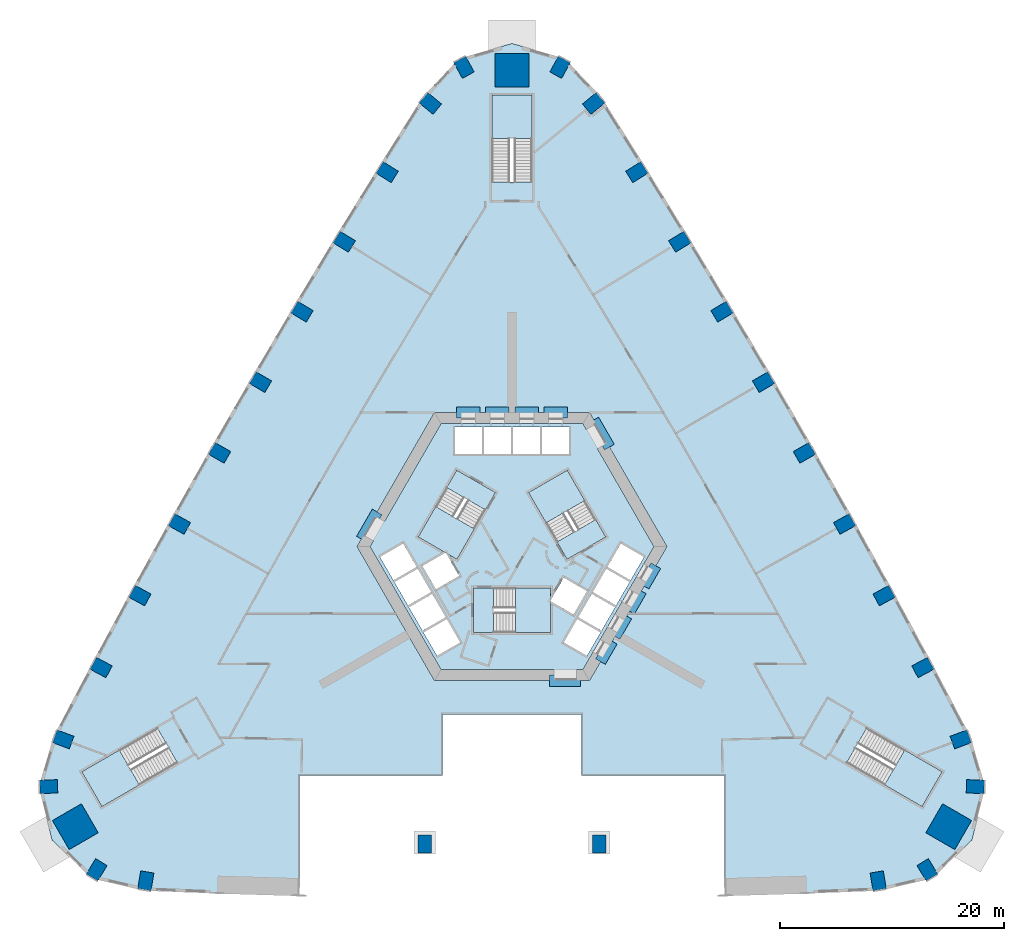
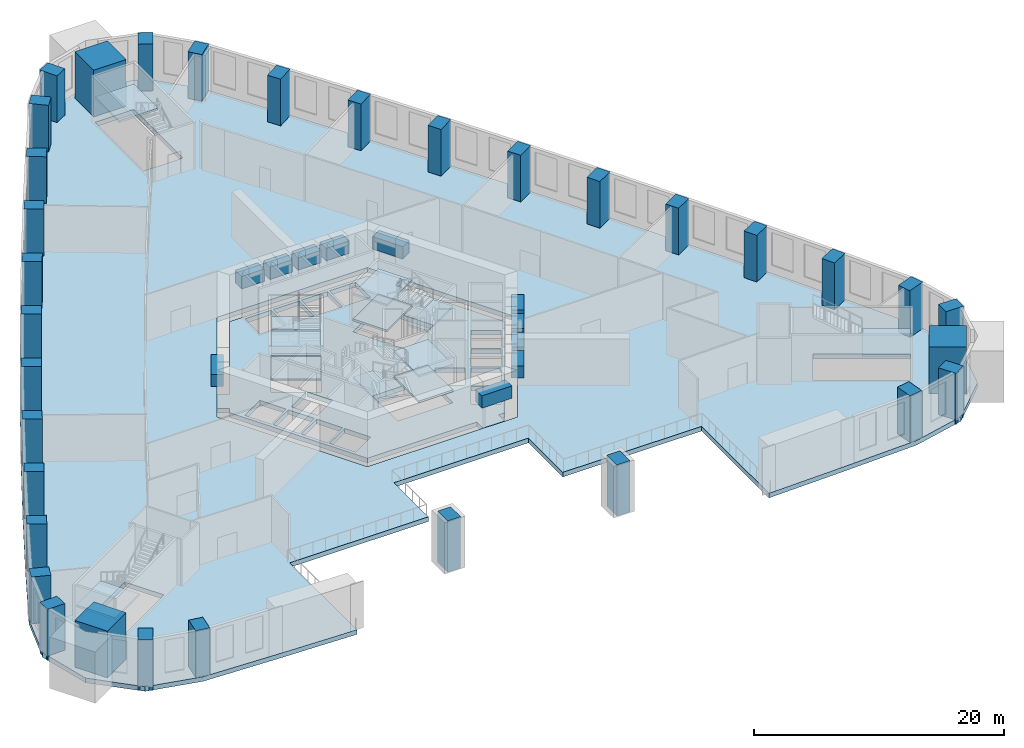
# One storey, part 1 of 16: 33 columns, 14 slabs, 11 beams, 6 elements without a shape of their own.
"""IFC4 building model written with IfcOpenShell, lengths in metres."""

from ifc_helpers import new_model, si_unit, direction, frame, origin, origin_2d, place, context, subcontext, project, spatial, polyline, rectangle, outline, extrude, material, layer, layer_set, material_profile, profile_set, type_object, element, aggregate, save


model = new_model("IFC4")

# Units and contexts
model_context = context("Model", 3, precision=1e-05, world=origin(), true_north=direction((0.0, 1.0)))
body_context = subcontext(model_context, "Body", "Model", "MODEL_VIEW")
ifc_project = project(units=[si_unit("LENGTHUNIT", "METRE"), si_unit("AREAUNIT", "SQUARE_METRE"), si_unit("VOLUMEUNIT", "CUBIC_METRE"), si_unit("PLANEANGLEUNIT", "RADIAN"), si_unit("MASSUNIT", "GRAM", prefix="KILO")], contexts=[model_context])

# Site, building, storey
site_placement = place(None, origin())
site = spatial("IfcSite", under=ifc_project, at=site_placement, CompositionType="ELEMENT")
building_placement = place(site_placement, origin())
building = spatial("IfcBuilding", under=site, at=building_placement, Name="Entoto Arch Interchange Tower", CompositionType="ELEMENT")
storey_placement = place(building_placement, frame((0.0, 0.0, 25.0)))
storey = spatial("IfcBuildingStorey", under=building, at=storey_placement, Name="L04", CompositionType="ELEMENT", Elevation=25.0)

# Columns
ifc_material_1 = material(Name="Concrete C60/75", Category="concrete")
ifc_material_profile_1 = material_profile(ifc_material_1, rectangle(XDim=1.199951171875, YDim=1.60009765625, at=origin_2d()))
ifc_profile_set_1 = profile_set([ifc_material_profile_1], Name="Concrete C60/75")
column_type_1 = type_object("IfcColumnType", Name="Column RC 1200x1600 C60/75", PredefinedType="COLUMN", material=ifc_profile_set_1)
for number, where, z_axis, x_axis, name in (
    (1, (-32.760986328125, -27.39697265625, -0.449951171875), (0.0, 0.0, 1.0), (-0.98600476771, 0.166717119856, 0.0), "Column S01 L04"),
    (2, (32.760986328125, -27.39697265625, -0.449951171875), (0.0, 0.0, 1.0), (0.98600476771, 0.166717119856, 0.0), "Column S06 L04"),
    (3, (37.152099609375, -26.410888671875, -0.449951171875), (0.0, 0.0, 1.0), (0.854522294989, 0.519414716163, 0.0), "Column SE1 L04"),
    (4, (41.447998046875, -18.968994140625, -0.449951171875), (0.0, 0.0, 1.0), (0.022565191802, 0.999745373642, 0.0), "Column SE3 L04"),
    (5, (40.14697265625, -14.7509765625, -0.449951171875), (0.0, 0.0, 1.0), (-0.348277574304, 0.937391450375, 0.0), "Column NE01 L04"),
    (6, (36.7529296875, -8.324951171875, -0.449951171875), (0.0, 0.0, 1.0), (-0.46931745221, 0.883029517656, 0.0), "Column NE02 L04"),
    (7, (33.282958984375, -1.888916015625, -0.449951171875), (0.0, 0.0, 1.0), (-0.478140110514, 0.878283573066, 0.0), "Column NE03 L04"),
    (8, (29.75, 4.511962890625, -0.449951171875), (0.0, 0.0, 1.0), (-0.486914781103, 0.873449481048, 0.0), "Column NE04 L04"),
    (9, (26.155029296875, 10.8798828125, -0.449951171875), (0.0, 0.0, 1.0), (-0.495655741916, 0.868519076074, 0.0), "Column NE05 L04"),
    (10, (22.5, 17.2109375, -0.449951171875), (0.0, 0.0, 1.0), (-0.504331712594, 0.863510002068, 0.0), "Column NE06 L04"),
    (11, (18.781982421875, 23.508056640625, -0.449951171875), (0.0, 0.0, 1.0), (-0.512972048958, 0.858405310438, 0.0), "Column NE07 L04"),
    (12, (15.0048828125, 29.76904296875, -0.449951171875), (0.0, 0.0, 1.0), (-0.521545830745, 0.853223268806, 0.0), "Column NE08 L04"),
    (13, (11.1669921875, 35.992919921875, -0.449951171875), (0.0, 0.0, 1.0), (-0.530067268476, 0.847955594881, 0.0), "Column NE09 L04"),
    (14, (7.299072265625, 42.14404296875, -0.449951171875), (0.0, 0.0, 1.0), (-0.637666022163, 0.770312952103, 0.0), "Column NE10 L04"),
    (15, (4.297119140625, 45.3798828125, -0.449951171875), (0.0, 0.0, 1.0), (-0.877079103306, 0.48034596547, 0.0), "Column N1 L04"),
    (16, (-4.297119140625, 45.3798828125, -0.449951171875), (0.0, 0.0, 1.0), (0.877079103306, 0.48034596547, 0.0), "Column N3 L04"),
    (17, (-7.299072265625, 42.14404296875, -0.449951171875), (0.0, 0.0, 1.0), (0.637666022163, 0.770312952103, 0.0), "Column NW01 L04"),
    (18, (-11.1669921875, 35.992919921875, -0.449951171875), (0.0, 0.0, 1.0), (0.530067268476, 0.847955594881, 0.0), "Column NW02 L04"),
    (19, (-15.0048828125, 29.76904296875, -0.449951171875), (0.0, 0.0, 1.0), (0.521545830745, 0.853223268806, 0.0), "Column NW03 L04"),
    (20, (-18.781982421875, 23.508056640625, -0.449951171875), (0.0, 0.0, 1.0), (0.512972048958, 0.858405310438, 0.0), "Column NW04 L04"),
    (21, (-22.5, 17.2109375, -0.449951171875), (0.0, 0.0, 1.0), (0.504331712594, 0.863510002068, 0.0), "Column NW05 L04"),
    (22, (-26.155029296875, 10.8798828125, -0.449951171875), (0.0, 0.0, 1.0), (0.495655741916, 0.868519076074, 0.0), "Column NW06 L04"),
    (23, (-29.75, 4.511962890625, -0.449951171875), (0.0, 0.0, 1.0), (0.486914781103, 0.873449481048, 0.0), "Column NW07 L04"),
    (24, (-33.282958984375, -1.888916015625, -0.449951171875), (0.0, 0.0, 1.0), (0.478140110514, 0.878283573066, 0.0), "Column NW08 L04"),
    (25, (-36.7529296875, -8.324951171875, -0.449951171875), (0.0, 0.0, 1.0), (0.46931745221, 0.883029517656, 0.0), "Column NW09 L04"),
    (26, (-40.14697265625, -14.7509765625, -0.449951171875), (0.0, 0.0, 1.0), (0.348277574304, 0.937391450375, 0.0), "Column NW10 L04"),
    (27, (-41.447998046875, -18.968994140625, -0.449951171875), (0.0, 0.0, 1.0), (-0.022565191802, 0.999745373642, 0.0), "Column SW1 L04"),
    (28, (-37.152099609375, -26.410888671875, -0.449951171875), (0.0, 0.0, 1.0), (-0.854522294989, 0.519414716163, 0.0), "Column SW3 L04"),
    (29, (-7.800048828125, -24.10009765625, -0.449951171875), (0.0, 0.0, 1.0), (1.0, 0.0, 0.0), "Column ARC-W L04"),
    (30, (7.800048828125, -24.10009765625, -0.449951171875), (0.0, 0.0, 1.0), (1.0, 0.0, 0.0), "Column ARC-E L04"),
):
    element("IfcColumn", number, at=place(storey_placement, frame(where, z_axis=z_axis, x_axis=x_axis)), inside=storey, type_object=column_type_1, Name=name, PredefinedType="COLUMN", context=body_context, shape_type="SweptSolid", body=[
        extrude(rectangle(XDim=1.199951171875, YDim=1.60009765625, at=origin_2d()), origin(), (0.0, 0.0, 1.0), 5.0),
    ])
ifc_material_profile_2 = material_profile(ifc_material_1, rectangle(XDim=3.0, YDim=3.0, at=origin_2d()))
ifc_profile_set_2 = profile_set([ifc_material_profile_2], Name="Concrete C60/75")
column_type_2 = type_object("IfcColumnType", Name="Mega column RC 3000x3000 C60/75", PredefinedType="COLUMN", material=ifc_profile_set_2)
for number, where, z_axis, x_axis, name in (
    (31, (39.069091796875, -22.555908203125, -0.449951171875), (0.0, 0.0, 1.0), (-0.866025403784, 0.5, 0.0), "Corner mega column SE2 L04"),
    (32, (0.0, 45.112060546875, -0.449951171875), (0.0, 0.0, 1.0), (0.0, 1.0, 0.0), "Corner mega column N2 L04"),
    (33, (-39.069091796875, -22.555908203125, -0.449951171875), (0.0, 0.0, 1.0), (0.866025403784, 0.5, 0.0), "Corner mega column SW2 L04"),
):
    element("IfcColumn", number, at=place(storey_placement, frame(where, z_axis=z_axis, x_axis=x_axis)), inside=storey, type_object=column_type_2, Name=name, PredefinedType="COLUMN", context=body_context, shape_type="SweptSolid", body=[
        extrude(rectangle(XDim=3.0, YDim=3.0, at=origin_2d()), origin(), (0.0, 0.0, 1.0), 5.0),
    ])

# Beams
ifc_material_profile_3 = material_profile(ifc_material_1, rectangle(XDim=1.0, YDim=1.199951171875, at=origin_2d()))
ifc_profile_set_3 = profile_set([ifc_material_profile_3], Name="Concrete C60/75")
beam_type = type_object("IfcBeamType", Name="Coupling beam RC 1000x1200 C60/75", PredefinedType="BEAM", material=ifc_profile_set_3)
beam_1_placement = place(storey_placement, frame((8.717041015625, 11.402099609375, 3.0), z_axis=(-0.500200581029, 0.865909567298, 0.0), x_axis=(-0.865909567298, -0.500200581029, 0.0)))
element("IfcBeam", 34, at=beam_1_placement, inside=storey, type_object=beam_type, Name="Coupling beam NE L04", PredefinedType="BEAM", context=body_context, shape_type="SweptSolid", body=[
    extrude(rectangle(XDim=1.0, YDim=1.199951171875, at=origin_2d()), origin(), (0.0, 0.0, 1.0), 2.799072265625),
])
beam_2_placement = place(storey_placement, frame((4.949951171875, 14.5, 3.0), z_axis=(-1.0, 0.0, 0.0), x_axis=(0.0, -1.0, 0.0)))
element("IfcBeam", 35, at=beam_2_placement, inside=storey, type_object=beam_type, Name="Coupling beam N L04", PredefinedType="BEAM", context=body_context, shape_type="SweptSolid", body=[
    extrude(rectangle(XDim=1.0, YDim=1.199951171875, at=origin_2d()), origin(), (0.0, 0.0, 1.0), 2.099853515625),
])
for number, where, z_axis, x_axis, name in (
    (36, (2.35009765625, 14.5, 3.0), (-1.0, 0.0, 0.0), (0.0, -1.0, 0.0), "Coupling beam N L04"),
    (37, (-0.25, 14.5, 3.0), (-1.0, 0.0, 0.0), (0.0, -1.0, 0.0), "Coupling beam N L04"),
):
    element("IfcBeam", number, at=place(storey_placement, frame(where, z_axis=z_axis, x_axis=x_axis)), inside=storey, type_object=beam_type, Name=name, PredefinedType="BEAM", context=body_context, shape_type="SweptSolid", body=[
        extrude(rectangle(XDim=1.0, YDim=1.199951171875, at=origin_2d()), origin(), (0.0, 0.0, 1.0), 2.10009765625),
    ])
beam_3_placement = place(storey_placement, frame((-2.85009765625, 14.5, 3.0), z_axis=(-1.0, 0.0, 0.0), x_axis=(0.0, -1.0, 0.0)))
element("IfcBeam", 38, at=beam_3_placement, inside=storey, type_object=beam_type, Name="Coupling beam N L04", PredefinedType="BEAM", context=body_context, shape_type="SweptSolid", body=[
    extrude(rectangle(XDim=1.0, YDim=1.199951171875, at=origin_2d()), origin(), (0.0, 0.0, 1.0), 2.099853515625),
])
beam_4_placement = place(storey_placement, frame((-12.06689453125, 5.597900390625, 3.0), z_axis=(-0.500200581029, -0.865909567298, 0.0), x_axis=(0.865909567298, -0.500200581029, 0.0)))
element("IfcBeam", 39, at=beam_4_placement, inside=storey, type_object=beam_type, Name="Coupling beam NW L04", PredefinedType="BEAM", context=body_context, shape_type="SweptSolid", body=[
    extrude(rectangle(XDim=1.0, YDim=1.199951171875, at=origin_2d()), origin(), (0.0, 0.0, 1.0), 2.799072265625),
])
beam_5_placement = place(storey_placement, frame((3.35009765625, -9.5, 3.0), z_axis=(1.0, 0.0, 0.0), x_axis=(0.0, 1.0, 0.0)))
element("IfcBeam", 40, at=beam_5_placement, inside=storey, type_object=beam_type, Name="Coupling beam S L04", PredefinedType="BEAM", context=body_context, shape_type="SweptSolid", body=[
    extrude(rectangle(XDim=1.0, YDim=1.199951171875, at=origin_2d()), origin(), (0.0, 0.0, 1.0), 2.7998046875),
])
for number, where, z_axis, x_axis, name in (
    (41, (7.9169921875, -7.785888671875, 3.0), (0.500178781653, 0.865922159541, 0.0), (-0.865922159541, 0.500178781653, 0.0), "Coupling beam SE L04"),
    (42, (9.217041015625, -5.534912109375, 3.0), (0.500178781653, 0.865922159541, 0.0), (-0.865922159541, 0.500178781653, 0.0), "Coupling beam SE L04"),
):
    element("IfcBeam", number, at=place(storey_placement, frame(where, z_axis=z_axis, x_axis=x_axis)), inside=storey, type_object=beam_type, Name=name, PredefinedType="BEAM", context=body_context, shape_type="SweptSolid", body=[
        extrude(rectangle(XDim=1.0, YDim=1.199951171875, at=origin_2d()), origin(), (0.0, 0.0, 1.0), 2.099365234375),
    ])
beam_6_placement = place(storey_placement, frame((10.51708984375, -3.282958984375, 3.0), z_axis=(0.500091574638, 0.865972526687, 0.0), x_axis=(-0.865972526687, 0.500091574638, 0.0)))
element("IfcBeam", 43, at=beam_6_placement, inside=storey, type_object=beam_type, Name="Coupling beam SE L04", PredefinedType="BEAM", context=body_context, shape_type="SweptSolid", body=[
    extrude(rectangle(XDim=1.0, YDim=1.199951171875, at=origin_2d()), origin(), (0.0, 0.0, 1.0), 2.09912109375),
])
beam_7_placement = place(storey_placement, frame((11.81689453125, -1.031982421875, 3.0), z_axis=(0.500178781653, 0.865922159541, 0.0), x_axis=(-0.865922159541, 0.500178781653, 0.0)))
element("IfcBeam", 44, at=beam_7_placement, inside=storey, type_object=beam_type, Name="Coupling beam SE L04", PredefinedType="BEAM", context=body_context, shape_type="SweptSolid", body=[
    extrude(rectangle(XDim=1.0, YDim=1.199951171875, at=origin_2d()), origin(), (0.0, 0.0, 1.0), 2.099365234375),
])

# Slab
ifc_material_2 = material(Name="Concrete C40/50", Category="concrete")
ifc_layer_1 = layer(ifc_material_2, 0.449951171875)
ifc_layer_set_1 = layer_set([ifc_layer_1], Name="Concrete C40/50")
slab_type_1 = type_object("IfcSlabType", Name="Core floor slab 450 C40/50", PredefinedType="FLOOR", material=ifc_layer_set_1)
slab_1_placement = place(storey_placement, frame((0.0, 0.0, -0.449951171875)))
element("IfcSlab", 45, at=slab_1_placement, inside=storey, type_object=slab_type_1, Name="Core floor slab L04", PredefinedType="FLOOR", context=body_context, shape_type="SweptSolid", body=[
    extrude(outline(polyline([(5.75, -9.5), (3.75, -9.5), (3.75, -8.5), (-6.35107421875, -8.5), (-12.701904296875, 2.5), (-12.402099609375, 3.02001953125), (-13.26708984375, 3.52001953125), (-12.26708984375, 5.251953125), (-11.402099609375, 4.751953125), (-6.35107421875, 13.5), (6.35107421875, 13.5), (6.65087890625, 12.97998046875), (7.51708984375, 13.47998046875), (8.51708984375, 11.748046875), (7.65087890625, 11.248046875), (12.701904296875, 2.5), (6.35107421875, -8.5), (5.75, -8.5), (5.75, -9.5)]), holes=[polyline([(-4.637939453125, -6.06689453125), (-5.837890625, -3.988037109375), (-7.916015625, -5.18798828125), (-6.716064453125, -7.26708984375), (-4.637939453125, -6.06689453125)]), polyline([(-5.93798828125, -3.81494140625), (-7.137939453125, -1.737060546875), (-9.216064453125, -2.93701171875), (-8.01611328125, -5.014892578125), (-5.93798828125, -3.81494140625)]), polyline([(5.5048828125, -3.56494140625), (6.705078125, -1.487060546875), (4.626953125, -0.287109375), (3.449951171875, -2.324951171875), (3.449951171875, -1.199951171875), (-1.64990234375, -1.199951171875), (-1.64990234375, -5.199951171875), (3.449951171875, -5.199951171875), (3.449951171875, -2.3779296875), (5.5048828125, -3.56494140625)]), polyline([(-7.238037109375, -1.56298828125), (-8.43798828125, 0.514892578125), (-10.51611328125, -0.68505859375), (-9.31591796875, -2.762939453125), (-7.238037109375, -1.56298828125)]), polyline([(-4.72705078125, -0.113037109375), (-5.904052734375, 1.925048828125), (-4.928955078125, 1.362060546875), (-2.37890625, 5.779052734375), (-5.843017578125, 7.779052734375), (-8.39306640625, 3.362060546875), (-5.949951171875, 1.951904296875), (-8.0048828125, 0.764892578125), (-6.804931640625, -1.31298828125), (-4.72705078125, -0.113037109375)]), polyline([(-8.5380859375, 0.68798828125), (-9.738037109375, 2.76708984375), (-11.81591796875, 1.56689453125), (-10.615966796875, -0.511962890625), (-8.5380859375, 0.68798828125)]), polyline([(-5.10009765625, 10.800048828125), (-2.699951171875, 10.800048828125), (-2.699951171875, 13.199951171875), (-5.10009765625, 13.199951171875), (-5.10009765625, 10.800048828125)]), polyline([(-2.5, 10.800048828125), (-0.10009765625, 10.800048828125), (-0.10009765625, 13.199951171875), (-2.5, 13.199951171875), (-2.5, 10.800048828125)]), polyline([(5.837890625, -3.988037109375), (4.637939453125, -6.06689453125), (6.716064453125, -7.26708984375), (7.916015625, -5.18798828125), (5.837890625, -3.988037109375)]), polyline([(7.137939453125, -1.737060546875), (5.93798828125, -3.81494140625), (8.01611328125, -5.014892578125), (9.216064453125, -2.93701171875), (7.137939453125, -1.737060546875)]), polyline([(8.43798828125, 0.514892578125), (7.238037109375, -1.56298828125), (9.31591796875, -2.762939453125), (10.51611328125, -0.68505859375), (8.43798828125, 0.514892578125)]), polyline([(9.738037109375, 2.76708984375), (8.5380859375, 0.68798828125), (10.615966796875, -0.511962890625), (11.81591796875, 1.56689453125), (9.738037109375, 2.76708984375)]), polyline([(4.029052734375, 2.9208984375), (7.492919921875, 4.9208984375), (4.943115234375, 9.337890625), (1.47900390625, 7.337890625), (4.029052734375, 2.9208984375)]), polyline([(0.10009765625, 13.199951171875), (0.10009765625, 10.800048828125), (2.5, 10.800048828125), (2.5, 13.199951171875), (0.10009765625, 13.199951171875)]), polyline([(2.699951171875, 13.199951171875), (2.699951171875, 10.800048828125), (5.10009765625, 10.800048828125), (5.10009765625, 13.199951171875), (2.699951171875, 13.199951171875)])]), origin(), (0.0, 0.0, 1.0), 0.449951171875),
])

# Stair, slabs
stair_type_1 = type_object("IfcStairType", Name="EXIT STAIR RC 1800", PredefinedType="HALF_TURN_STAIR", material=ifc_material_2)
stair_1_placement = place(storey_placement, origin())
stair_1 = element("IfcStair", 46, at=stair_1_placement, inside=storey, type_object=stair_type_1, Name="L04 Exit stair S", PredefinedType="HALF_TURN_STAIR")
ifc_layer_2 = layer(ifc_material_2, 0.199951171875)
ifc_layer_set_2 = layer_set([ifc_layer_2], Name="Concrete C40/50")
slab_type_2 = type_object("IfcSlabType", Name="EXIT STAIR LANDING RC 200", PredefinedType="LANDING", material=ifc_layer_set_2)
slab_2_placement = place(storey_placement, frame((0.0, 0.0, 1.050048828125)))
slab_2 = element("IfcSlab", 47, at=slab_2_placement, type_object=slab_type_2, Name="ST-S landing 1", PredefinedType="LANDING", context=body_context, shape_type="SweptSolid", body=[
    extrude(outline(polyline([(0.31005859375, -5.199951171875), (3.449951171875, -5.199951171875), (3.449951171875, -1.199951171875), (0.31005859375, -1.199951171875), (0.31005859375, -5.199951171875)])), origin(), (0.0, 0.0, 1.0), 0.199951171875),
])
slab_3_placement = place(storey_placement, frame((0.0, 0.0, 2.300048828125)))
slab_3 = element("IfcSlab", 48, at=slab_3_placement, type_object=slab_type_2, Name="ST-S landing 2", PredefinedType="LANDING", context=body_context, shape_type="SweptSolid", body=[
    extrude(outline(polyline([(-3.449951171875, -5.199951171875), (-1.64990234375, -5.199951171875), (-1.64990234375, -1.199951171875), (-3.449951171875, -1.199951171875), (-3.449951171875, -5.199951171875)])), origin(), (0.0, 0.0, 1.0), 0.199951171875),
])
slab_4_placement = place(storey_placement, frame((0.0, 0.0, 3.550048828125)))
slab_4 = element("IfcSlab", 49, at=slab_4_placement, type_object=slab_type_2, Name="ST-S landing 3", PredefinedType="LANDING", context=body_context, shape_type="SweptSolid", body=[
    extrude(outline(polyline([(0.31005859375, -5.199951171875), (3.449951171875, -5.199951171875), (3.449951171875, -1.199951171875), (0.31005859375, -1.199951171875), (0.31005859375, -5.199951171875)])), origin(), (0.0, 0.0, 1.0), 0.199951171875),
])
aggregate(stair_1, [slab_2, slab_3, slab_4])

stair_2_placement = place(storey_placement, origin())
stair_2 = element("IfcStair", 50, at=stair_2_placement, inside=storey, type_object=stair_type_1, Name="L04 Exit stair NE", PredefinedType="HALF_TURN_STAIR")
slab_5_placement = place(storey_placement, frame((0.0, 0.0, 1.050048828125)))
slab_5 = element("IfcSlab", 51, at=slab_5_placement, type_object=slab_type_2, Name="ST-NE landing 1", PredefinedType="LANDING", context=body_context, shape_type="SweptSolid", body=[
    extrude(outline(polyline([(6.513427734375, 6.618408203125), (4.943359375, 9.337890625), (1.479248046875, 7.337890625), (3.04931640625, 4.618408203125), (6.513427734375, 6.618408203125)])), origin(), (0.0, 0.0, 1.0), 0.199951171875),
])
slab_6_placement = place(storey_placement, frame((0.0, 0.0, 2.300048828125)))
slab_6 = element("IfcSlab", 52, at=slab_6_placement, type_object=slab_type_2, Name="ST-NE landing 2", PredefinedType="LANDING", context=body_context, shape_type="SweptSolid", body=[
    extrude(outline(polyline([(8.393310546875, 3.3623046875), (7.493408203125, 4.921142578125), (4.029296875, 2.921142578125), (4.92919921875, 1.3623046875), (8.393310546875, 3.3623046875)])), origin(), (0.0, 0.0, 1.0), 0.199951171875),
])
slab_7_placement = place(storey_placement, frame((0.0, 0.0, 3.550048828125)))
slab_7 = element("IfcSlab", 53, at=slab_7_placement, type_object=slab_type_2, Name="ST-NE landing 3", PredefinedType="LANDING", context=body_context, shape_type="SweptSolid", body=[
    extrude(outline(polyline([(6.513427734375, 6.618408203125), (4.943359375, 9.337890625), (1.479248046875, 7.337890625), (3.04931640625, 4.618408203125), (6.513427734375, 6.618408203125)])), origin(), (0.0, 0.0, 1.0), 0.199951171875),
])
aggregate(stair_2, [slab_5, slab_6, slab_7])

stair_3_placement = place(storey_placement, origin())
stair_3 = element("IfcStair", 54, at=stair_3_placement, inside=storey, type_object=stair_type_1, Name="L04 Exit stair NW", PredefinedType="HALF_TURN_STAIR")
slab_8_placement = place(storey_placement, frame((0.0, 0.0, 1.050048828125)))
slab_8 = element("IfcSlab", 55, at=slab_8_placement, type_object=slab_type_2, Name="ST-NW landing 1", PredefinedType="LANDING", context=body_context, shape_type="SweptSolid", body=[
    extrude(outline(polyline([(-6.823486328125, 6.08154296875), (-8.393310546875, 3.3623046875), (-4.92919921875, 1.3623046875), (-3.359375, 4.08154296875), (-6.823486328125, 6.08154296875)])), origin(), (0.0, 0.0, 1.0), 0.199951171875),
])
slab_9_placement = place(storey_placement, frame((0.0, 0.0, 2.300048828125)))
slab_9 = element("IfcSlab", 56, at=slab_9_placement, type_object=slab_type_2, Name="ST-NW landing 2", PredefinedType="LANDING", context=body_context, shape_type="SweptSolid", body=[
    extrude(outline(polyline([(-4.943359375, 9.337890625), (-5.843505859375, 7.779052734375), (-2.37939453125, 5.779052734375), (-1.479248046875, 7.337890625), (-4.943359375, 9.337890625)])), origin(), (0.0, 0.0, 1.0), 0.199951171875),
])
slab_10_placement = place(storey_placement, frame((0.0, 0.0, 3.550048828125)))
slab_10 = element("IfcSlab", 57, at=slab_10_placement, type_object=slab_type_2, Name="ST-NW landing 3", PredefinedType="LANDING", context=body_context, shape_type="SweptSolid", body=[
    extrude(outline(polyline([(-6.823486328125, 6.08154296875), (-8.393310546875, 3.3623046875), (-4.92919921875, 1.3623046875), (-3.359375, 4.08154296875), (-6.823486328125, 6.08154296875)])), origin(), (0.0, 0.0, 1.0), 0.199951171875),
])
aggregate(stair_3, [slab_8, slab_9, slab_10])

# Stair, slab
stair_type_2 = type_object("IfcStairType", Name="PODIUM EXIT STAIR RC 1600", PredefinedType="HALF_TURN_STAIR", material=ifc_material_2)
stair_4_placement = place(storey_placement, origin())
stair_4 = element("IfcStair", 58, at=stair_4_placement, inside=storey, type_object=stair_type_2, Name="L04 Podium exit stair north", PredefinedType="HALF_TURN_STAIR")
slab_11_placement = place(storey_placement, frame((0.0, 0.0, 2.300048828125)))
slab_11 = element("IfcSlab", 59, at=slab_11_placement, type_object=slab_type_2, Name="PST-N landing 1", PredefinedType="LANDING", context=body_context, shape_type="SweptSolid", body=[
    extrude(outline(polyline([(1.800048828125, 39.02001953125), (1.800048828125, 42.89990234375), (-1.800048828125, 42.89990234375), (-1.800048828125, 39.02001953125), (1.800048828125, 39.02001953125)])), origin(), (0.0, 0.0, 1.0), 0.199951171875),
])
aggregate(stair_4, [slab_11])

stair_5_placement = place(storey_placement, origin())
stair_5 = element("IfcStair", 60, at=stair_5_placement, inside=storey, type_object=stair_type_2, Name="L04 Podium exit stair south-west", PredefinedType="HALF_TURN_STAIR")
slab_12_placement = place(storey_placement, frame((0.0, 0.0, 2.300048828125)))
slab_12 = element("IfcSlab", 61, at=slab_12_placement, type_object=slab_type_2, Name="PST-SW landing 1", PredefinedType="LANDING", context=body_context, shape_type="SweptSolid", body=[
    extrude(outline(polyline([(-35.125244140625, -15.701171875), (-38.485595703125, -17.64111328125), (-36.685546875, -20.7587890625), (-33.325439453125, -18.81884765625), (-35.125244140625, -15.701171875)])), origin(), (0.0, 0.0, 1.0), 0.199951171875),
])
aggregate(stair_5, [slab_12])

stair_6_placement = place(storey_placement, origin())
stair_6 = element("IfcStair", 62, at=stair_6_placement, inside=storey, type_object=stair_type_2, Name="L04 Podium exit stair south-east", PredefinedType="HALF_TURN_STAIR")
slab_13_placement = place(storey_placement, frame((0.0, 0.0, 2.300048828125)))
slab_13 = element("IfcSlab", 63, at=slab_13_placement, type_object=slab_type_2, Name="PST-SE landing 1", PredefinedType="LANDING", context=body_context, shape_type="SweptSolid", body=[
    extrude(outline(polyline([(33.325439453125, -18.81884765625), (36.685546875, -20.7587890625), (38.485595703125, -17.64111328125), (35.125244140625, -15.701171875), (33.325439453125, -18.81884765625)])), origin(), (0.0, 0.0, 1.0), 0.199951171875),
])
aggregate(stair_6, [slab_13])

# Slab
ifc_layer_3 = layer(ifc_material_2, 0.449951171875)
ifc_layer_set_3 = layer_set([ifc_layer_3], Name="Concrete C40/50")
slab_type_3 = type_object("IfcSlabType", Name="Post-tensioned flat plate 450 C40/50", PredefinedType="FLOOR", material=ifc_layer_set_3)
slab_14_placement = place(storey_placement, frame((0.0, 0.0, -0.449951171875)))
element("IfcSlab", 64, at=slab_14_placement, inside=storey, type_object=slab_type_3, Name="Floor slab L04", PredefinedType="FLOOR", context=body_context, shape_type="SweptSolid", body=[
    extrude(outline(polyline([(-26.376953125, -28.5400390625), (-19.0, -28.761962890625), (-19.0, -18.0), (-6.199951171875, -18.0), (-6.199951171875, -12.5), (6.199951171875, -12.5), (6.199951171875, -18.0), (19.0, -18.0), (19.0, -28.761962890625), (26.376953125, -28.5400390625), (32.910888671875, -28.283935546875), (37.618896484375, -27.179931640625), (41.14697265625, -23.756103515625), (42.347900390625, -18.989013671875), (40.990966796875, -14.43798828125), (37.548095703125, -7.903076171875), (34.072998046875, -1.458984375), (30.535888671875, 4.949951171875), (26.93701171875, 11.325927734375), (23.277099609375, 17.6650390625), (19.554931640625, 23.969970703125), (15.77294921875, 30.238037109375), (11.929931640625, 36.469970703125), (7.991943359375, 42.718017578125), (4.72900390625, 46.1689453125), (0.0, 47.511962890625), (-4.72900390625, 46.1689453125), (-7.991943359375, 42.718017578125), (-11.929931640625, 36.469970703125), (-15.77294921875, 30.238037109375), (-19.554931640625, 23.969970703125), (-23.277099609375, 17.6650390625), (-26.93701171875, 11.325927734375), (-30.535888671875, 4.949951171875), (-34.072998046875, -1.458984375), (-37.548095703125, -7.903076171875), (-40.990966796875, -14.43798828125), (-42.347900390625, -18.989013671875), (-41.14697265625, -23.756103515625), (-37.618896484375, -27.179931640625), (-32.910888671875, -28.283935546875), (-26.376953125, -28.5400390625)]), holes=[polyline([(-29.930908203125, -16.85888671875), (-31.73095703125, -13.740966796875), (-38.486083984375, -17.64111328125), (-36.68603515625, -20.759033203125), (-29.930908203125, -16.85888671875)]), polyline([(31.73095703125, -13.740966796875), (29.930908203125, -16.85888671875), (36.68603515625, -20.759033203125), (38.486083984375, -17.64111328125), (31.73095703125, -13.740966796875)]), polyline([(-6.927978515625, -9.5), (6.927978515625, -9.5), (13.85595703125, 2.5), (6.927978515625, 14.5), (-6.927978515625, 14.5), (-13.85595703125, 2.5), (-6.927978515625, -9.5)]), polyline([(-1.800048828125, 42.89990234375), (-1.800048828125, 35.10009765625), (1.800048828125, 35.10009765625), (1.800048828125, 42.89990234375), (-1.800048828125, 42.89990234375)])]), origin(), (0.0, 0.0, 1.0), 0.449951171875),
])

save(model, "model.ifc")
